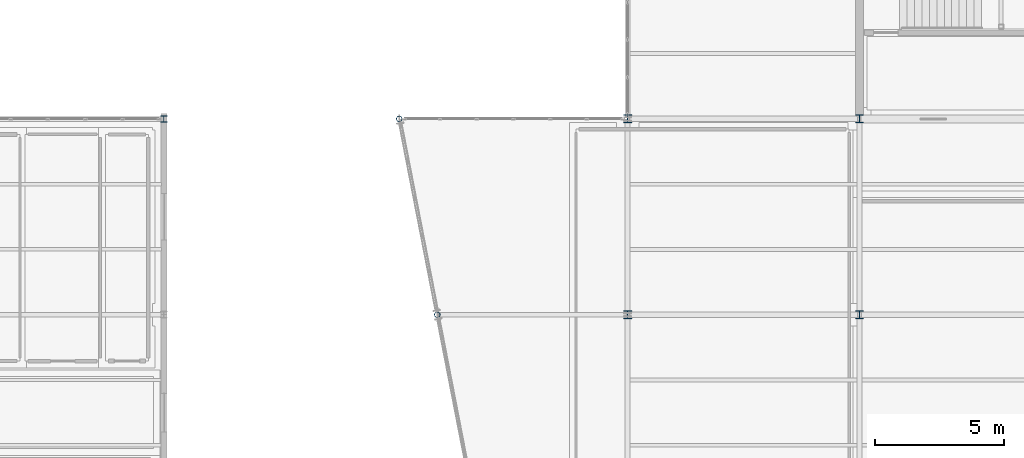
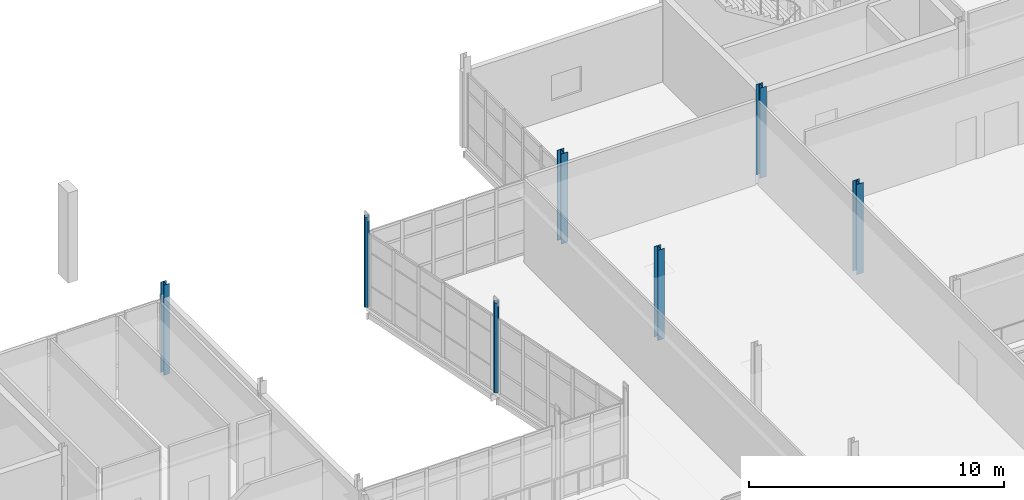
# One storey, part 17 of 166: 7 columns.
"""IFC4 building model written with IfcOpenShell, lengths in metres."""

import ifcopenshell
import ifcopenshell.guid

model = None  # the IFC model being written
_history = None  # IfcOwnerHistory: only IFC2X3 demands one
_inside = {}  # id of a spatial element -> (the spatial element, [elements in it])
_under = {}  # id of a project, library or spatial element -> (it, [spatial elements below it])
_declared = {}  # id of a project -> (the project, [libraries it declares])
_typed = {}  # id of a type object -> (the type object, [elements of that type])
_made_of = {}  # id of a material, layer set ... -> (it, [elements and type objects made of it])


def new_model(schema):
    """Start an empty IFC model of exactly this schema.

    Asked for "IFC4X3", IfcOpenShell would pick the latest addendum, in which some entities
    have other attributes; the version numbers below select the first issue.
    IFC2X3 requires an IfcOwnerHistory on every rooted entity: one is made here for all.
    """
    global model, _history
    if schema == "IFC4X3":
        model = ifcopenshell.file(schema_version=(4, 3, 0, 0))
    else:
        model = ifcopenshell.file(schema=schema)
    _inside.clear()
    _under.clear()
    _declared.clear()
    _typed.clear()
    _made_of.clear()
    _history = None
    if model.schema == "IFC2X3":
        org = make("IfcOrganization", Name="unknown")
        user = make(
            "IfcPersonAndOrganization",
            ThePerson=make("IfcPerson", FamilyName="unknown"),
            TheOrganization=org,
        )
        app = make(
            "IfcApplication",
            ApplicationDeveloper=org,
            Version="unknown",
            ApplicationFullName="unknown",
            ApplicationIdentifier="unknown",
        )
        _history = make(
            "IfcOwnerHistory",
            OwningUser=user,
            OwningApplication=app,
            ChangeAction="ADDED",
            CreationDate=0,
        )
    return model


def make(cls, **values):
    """One entity of the class cls with the attributes given. An attribute that is None is left unset."""
    return model.create_entity(
        cls, **{name: value for name, value in values.items() if value is not None}
    )


def rooted(cls, **values):
    """An entity with a GlobalId (a new one), such as an element, a storey or a relation."""
    return make(cls, GlobalId=ifcopenshell.guid.new(), OwnerHistory=_history, **values)


def si_unit(unit_type, name, prefix=None):
    """IfcSIUnit, for example si_unit("LENGTHUNIT", "METRE", prefix="MILLI")."""
    return make("IfcSIUnit", UnitType=unit_type, Prefix=prefix, Name=name)


def assignment(units):
    """IfcUnitAssignment: the units of a project."""
    return None if units is None else make("IfcUnitAssignment", Units=units)


def point(xyz):
    """IfcCartesianPoint."""
    return None if xyz is None else make("IfcCartesianPoint", Coordinates=xyz)


def direction(xyz):
    """IfcDirection."""
    return None if xyz is None else make("IfcDirection", DirectionRatios=xyz)


def frame(location, z_axis=None, x_axis=None):
    """IfcAxis2Placement3D, a coordinate frame: its origin and axes. An axis left out is left unset."""
    return make(
        "IfcAxis2Placement3D",
        Location=point(location),
        Axis=direction(z_axis),
        RefDirection=direction(x_axis),
    )


def frame_2d(location, x_axis=None):
    """IfcAxis2Placement2D, a coordinate frame in the plane: its origin and x axis."""
    return make(
        "IfcAxis2Placement2D", Location=point(location), RefDirection=direction(x_axis)
    )


def origin():
    """The frame at (0, 0, 0) with its axes left unset."""
    return frame((0.0, 0.0, 0.0))


def origin_2d():
    """The frame at (0, 0) in the plane with its x axis left unset."""
    return frame_2d((0.0, 0.0))


def place(relative_to, where):
    """IfcLocalPlacement: puts the frame where relative to a parent placement (None: the world)."""
    return make(
        "IfcLocalPlacement", PlacementRelTo=relative_to, RelativePlacement=where
    )


def context(
    kind, dimensions, precision=None, world=None, true_north=None, identifier=None
):
    """IfcGeometricRepresentationContext, for example the 3D "Model" context."""
    return make(
        "IfcGeometricRepresentationContext",
        ContextIdentifier=identifier,
        ContextType=kind,
        CoordinateSpaceDimension=dimensions,
        Precision=precision,
        WorldCoordinateSystem=world,
        TrueNorth=true_north,
    )


def subcontext(parent, identifier, kind, view, scale=None):
    """IfcGeometricRepresentationSubContext, for example "Body" below "Model"."""
    return make(
        "IfcGeometricRepresentationSubContext",
        ContextIdentifier=identifier,
        ContextType=kind,
        ParentContext=parent,
        TargetScale=scale,
        TargetView=view,
    )


def project(units=None, contexts=None):
    """IfcProject with its units and contexts."""
    return rooted(
        "IfcProject",
        Name="project",
        RepresentationContexts=contexts,
        UnitsInContext=assignment(units),
    )


def spatial(cls, under=None, at=None, **own):
    """A site, building, storey or space (cls), placed at a placement, below another one or the project."""
    s = rooted(cls, ObjectPlacement=at, **own)
    if under is not None:
        _under.setdefault(under.id(), (under, []))[1].append(s)
    return s


def profile(cls, at=None, kind="AREA", **sizes):
    """A parametric profile (cls). Its sizes go by their IFC names, for example OverallWidth=200.0."""
    return make(cls, ProfileType=kind, Position=at, **sizes)


def hollow_circle(**sizes):
    """IfcCircleHollowProfileDef."""
    return profile("IfcCircleHollowProfileDef", **sizes)


def i_section(**sizes):
    """IfcIShapeProfileDef."""
    return profile("IfcIShapeProfileDef", **sizes)


def extrude(swept, where, along, depth):
    """IfcExtrudedAreaSolid: the profile swept, set in the frame where, extruded along a direction by depth."""
    return make(
        "IfcExtrudedAreaSolid",
        SweptArea=swept,
        Position=where,
        ExtrudedDirection=direction(along),
        Depth=depth,
    )


def shape(context_of_items, identifier, shape_type, items):
    """IfcShapeRepresentation: the items that make up one representation, for example the "Body"."""
    return make(
        "IfcShapeRepresentation",
        ContextOfItems=context_of_items,
        RepresentationIdentifier=identifier,
        RepresentationType=shape_type,
        Items=items,
    )


def material(Name=None, Category=None):
    """IfcMaterial."""
    return make("IfcMaterial", Name=Name, Category=Category)


def material_profile(
    of_material, cross_section, Name=None, Category=None, Priority=None
):
    """IfcMaterialProfile: a cross section and its material."""
    return make(
        "IfcMaterialProfile",
        Name=Name,
        Material=of_material,
        Profile=cross_section,
        Priority=Priority,
        Category=Category,
    )


def profile_set(profiles, Name=None, composite=None):
    """IfcMaterialProfileSet."""
    return make(
        "IfcMaterialProfileSet",
        Name=Name,
        MaterialProfiles=profiles,
        CompositeProfile=composite,
    )


def made_of(thing, what):
    """Note that an element or type object is made of a material, layer set ...; save() writes the relation."""
    if what is not None:
        _made_of.setdefault(what.id(), (what, []))[1].append(thing)
    return thing


def type_object(cls, material=None, **own):
    """A type object (cls), such as IfcWallType, which elements share."""
    return made_of(rooted(cls, **own), material)


def element(
    cls,
    number,
    at=None,
    inside=None,
    cuts=None,
    type_object=None,
    material=None,
    context=None,
    identifier="Body",
    shape_type=None,
    held_by="IfcProductDefinitionShape",
    body=None,
    shapes=None,
    **own,
):
    """One element of the class cls, such as IfcWall. Its Tag is "e" and its number.

    at: its placement. inside: the storey or other place that contains it. cuts: it is an
    opening in that element (IfcRelVoidsElement). A single representation is given by context,
    identifier, shape_type and body (its items); several are given by shapes. held_by: the class
    of the entity that holds the representations. save() writes the other relations.
    """
    e = rooted(cls, Tag="e%d" % number, ObjectPlacement=at, **own)
    if body is not None:
        shapes = [shape(context, identifier, shape_type, body)]
    if shapes is not None:
        e.Representation = make(held_by, Representations=shapes)
    if inside is not None:
        _inside.setdefault(inside.id(), (inside, []))[1].append(e)
    if cuts is not None:
        rooted(
            "IfcRelVoidsElement", RelatingBuildingElement=cuts, RelatedOpeningElement=e
        )
    if type_object is not None:
        _typed.setdefault(type_object.id(), (type_object, []))[1].append(e)
    return made_of(e, material)


def aggregate(whole, parts):
    """IfcRelAggregates: a whole, such as a stair, and the parts it consists of."""
    return rooted("IfcRelAggregates", RelatingObject=whole, RelatedObjects=parts)


def save(model, path):
    """Write the relations noted so far, then the file.

    IfcRelAggregates (storeys below a building ...), IfcRelContainedInSpatialStructure (elements
    in a storey), IfcRelDefinesByType, IfcRelAssociatesMaterial and IfcRelDeclares: one each for
    every whole, place, type object, material and project.
    """
    for whole, parts in _under.values():
        aggregate(whole, parts)
    for where, things in _inside.values():
        rooted(
            "IfcRelContainedInSpatialStructure",
            RelatedElements=things,
            RelatingStructure=where,
        )
    for kind, things in _typed.values():
        rooted("IfcRelDefinesByType", RelatedObjects=things, RelatingType=kind)
    for what, things in _made_of.values():
        rooted("IfcRelAssociatesMaterial", RelatedObjects=things, RelatingMaterial=what)
    for by, libraries in _declared.values():
        rooted("IfcRelDeclares", RelatingContext=by, RelatedDefinitions=libraries)
    model.write(path)


model = new_model("IFC4")

# Units and contexts
model_context = context("Model", 3, precision=1e-05, world=origin(), true_north=direction((0.0, 1.0)))
body_context = subcontext(model_context, "Body", "Model", "MODEL_VIEW")
ifc_project = project(units=[si_unit("LENGTHUNIT", "METRE"), si_unit("AREAUNIT", "SQUARE_METRE"), si_unit("VOLUMEUNIT", "CUBIC_METRE"), si_unit("PLANEANGLEUNIT", "RADIAN"), si_unit("MASSUNIT", "GRAM", prefix="KILO")], contexts=[model_context])

# Site, building, storey
site_placement = place(None, origin())
site = spatial("IfcSite", under=ifc_project, at=site_placement, CompositionType="ELEMENT")
building_placement = place(site_placement, origin())
building = spatial("IfcBuilding", under=site, at=building_placement, Name="Caisbarro Railhouse Central Library", CompositionType="ELEMENT")
storey_placement = place(building_placement, frame((0.0, 0.0, 9.360107421875)))
storey = spatial("IfcBuildingStorey", under=building, at=storey_placement, Name="L02", CompositionType="ELEMENT", Elevation=9.360107421875)

# Columns
ifc_material = material(Name="Steel ASTM A572 Grade 50", Category="steel")
ifc_material_profile_1 = material_profile(ifc_material, i_section(OverallWidth=0.305908203125, OverallDepth=0.31103515625, WebThickness=0.010986328125, FlangeThickness=0.01708984375, FilletRadius=0.014892578125, at=origin_2d()), Name="W310X107.0")
ifc_profile_set_1 = profile_set([ifc_material_profile_1], Name="Steel ASTM A572 Grade 50")
column_type_1 = type_object("IfcColumnType", Name="COL-C06", PredefinedType="COLUMN", material=ifc_profile_set_1)
for number, where, z_axis, x_axis, name in (
    (1, (117.0, 98.800048828125, 0.0), (0.0, 0.0, 1.0), (1.0, 0.0, 0.0), "C06 column L02 (117.0,98.8)"),
    (2, (117.0, 106.39990234375, 0.0), (0.0, 0.0, 1.0), (1.0, 0.0, 0.0), "C06 column L02 (117.0,106.4)"),
    (3, (126.0, 98.800048828125, 0.0), (0.0, 0.0, 1.0), (1.0, 0.0, 0.0), "C06 column L02 (126.0,98.8)"),
    (4, (126.0, 106.39990234375, 0.0), (0.0, 0.0, 1.0), (1.0, 0.0, 0.0), "C06 column L02 (126.0,106.4)"),
):
    element("IfcColumn", number, at=place(storey_placement, frame(where, z_axis=z_axis, x_axis=x_axis)), inside=storey, type_object=column_type_1, Name=name, PredefinedType="COLUMN", context=body_context, shape_type="SweptSolid", body=[
        extrude(i_section(OverallWidth=0.305908203125, OverallDepth=0.31103515625, WebThickness=0.010986328125, FlangeThickness=0.01708984375, FilletRadius=0.014892578125, at=origin_2d()), origin(), (0.0, 0.0, 1.0), 4.31982421875),
    ])
ifc_material_profile_2 = material_profile(ifc_material, i_section(OverallWidth=0.25390625, OverallDepth=0.2529296875, WebThickness=0.008544921875, FlangeThickness=0.01416015625, FilletRadius=0.011962890625, at=origin_2d()), Name="W250X73.0")
ifc_profile_set_2 = profile_set([ifc_material_profile_2], Name="Steel ASTM A572 Grade 50")
column_type_2 = type_object("IfcColumnType", Name="COL-C08", PredefinedType="COLUMN", material=ifc_profile_set_2)
column_placement = place(storey_placement, frame((99.0, 106.39990234375, 0.0), z_axis=(0.0, 0.0, 1.0), x_axis=(1.0, 0.0, 0.0)))
element("IfcColumn", 5, at=column_placement, inside=storey, type_object=column_type_2, Name="C08 column L02 (99.0,106.4)", PredefinedType="COLUMN", context=body_context, shape_type="SweptSolid", body=[
    extrude(i_section(OverallWidth=0.25390625, OverallDepth=0.2529296875, WebThickness=0.008544921875, FlangeThickness=0.01416015625, FilletRadius=0.011962890625, at=origin_2d()), origin(), (0.0, 0.0, 1.0), 4.31982421875),
])
ifc_material_profile_3 = material_profile(ifc_material, hollow_circle(Radius=0.109619140625, WallThickness=0.010009765625, at=origin_2d()), Name="CHS219.1X10")
ifc_profile_set_3 = profile_set([ifc_material_profile_3], Name="Steel ASTM A572 Grade 50")
column_type_3 = type_object("IfcColumnType", Name="COL-C13", PredefinedType="COLUMN", material=ifc_profile_set_3)
for number, where, z_axis, x_axis, name in (
    (6, (108.135986328125, 106.39990234375, 0.0), (0.0, 0.0, 1.0), (0.981627183448, 0.190808995377, 0.0), "C13 column L02 (108.1,106.4)"),
    (7, (109.614013671875, 98.800048828125, 0.0), (0.0, 0.0, 1.0), (0.981627183448, 0.190808995377, 0.0), "C13 column L02 (109.6,98.8)"),
):
    element("IfcColumn", number, at=place(storey_placement, frame(where, z_axis=z_axis, x_axis=x_axis)), inside=storey, type_object=column_type_3, Name=name, PredefinedType="COLUMN", context=body_context, shape_type="SweptSolid", body=[
        extrude(hollow_circle(Radius=0.109619140625, WallThickness=0.010009765625, at=origin_2d()), origin(), (0.0, 0.0, 1.0), 4.31982421875),
    ])

save(model, "model.ifc")
